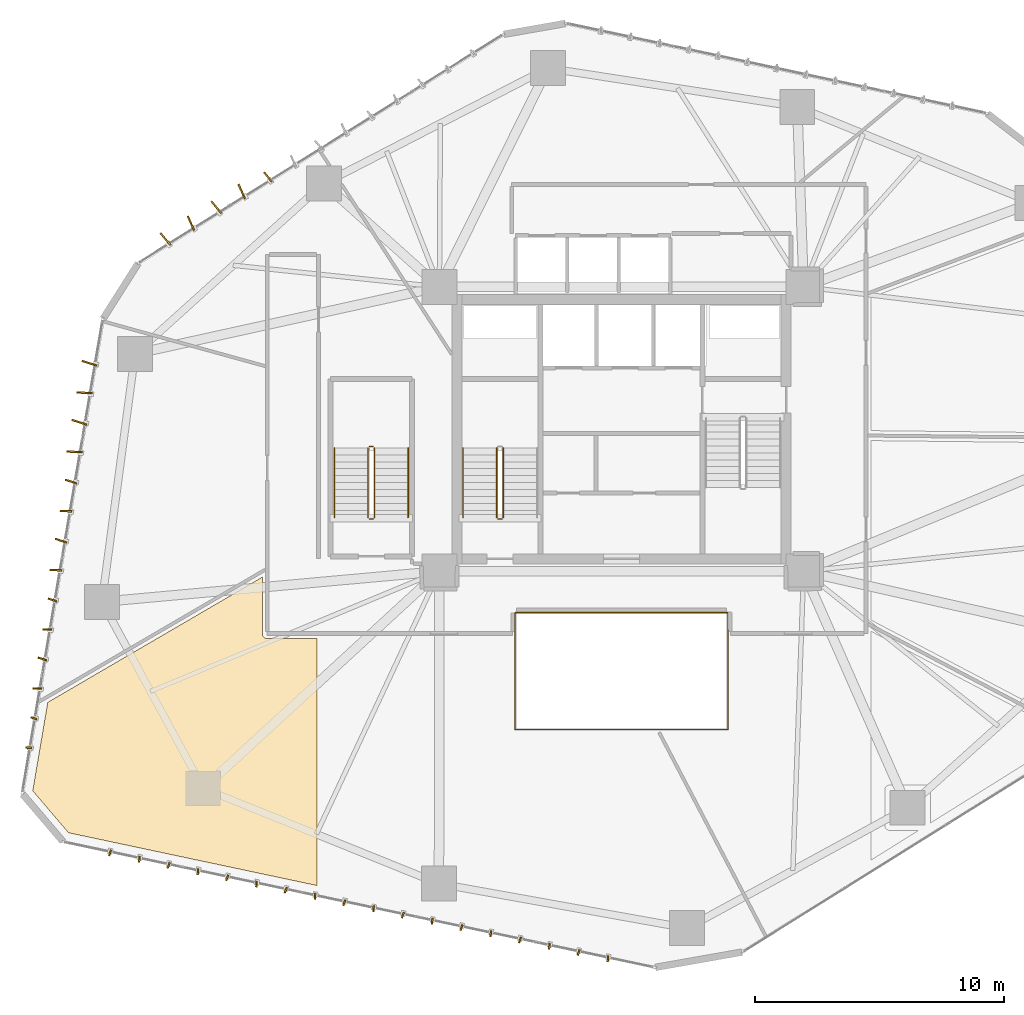
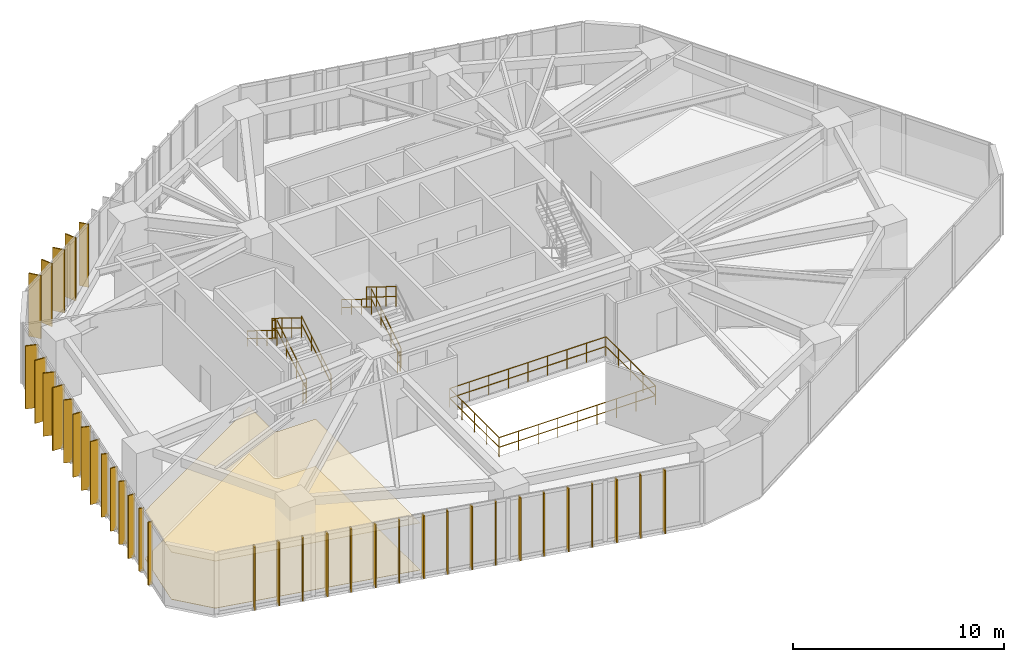
# One storey, part 20 of 22: 37 shading devices, 14 railings, 2 coverings.
"""IFC4 building model written with IfcOpenShell, lengths in metres."""

from ifc_helpers import new_model, si_unit, direction, frame, origin, origin_2d, place, context, subcontext, project, spatial, polyline, rectangle, circle, outline, extrude, source, transform, mapped, material, layer, layer_set, type_object, type_shapes, element, save


model = new_model("IFC4")

# Units and contexts
model_context = context("Model", 3, precision=1e-05, world=origin(), true_north=direction((0.0, 1.0)))
body_context = subcontext(model_context, "Body", "Model", "MODEL_VIEW")
ifc_project = project(units=[si_unit("LENGTHUNIT", "METRE"), si_unit("AREAUNIT", "SQUARE_METRE"), si_unit("VOLUMEUNIT", "CUBIC_METRE"), si_unit("PLANEANGLEUNIT", "RADIAN"), si_unit("MASSUNIT", "GRAM", prefix="KILO")], contexts=[model_context])

# Site, building, storey
site_placement = place(None, origin())
site = spatial("IfcSite", under=ifc_project, at=site_placement, CompositionType="ELEMENT")
building_placement = place(site_placement, origin())
building = spatial("IfcBuilding", under=site, at=building_placement, Name="Talar Marvaseh", CompositionType="ELEMENT")
storey_placement = place(building_placement, frame((0.0, 0.0, 54.39990234375)))
storey = spatial("IfcBuildingStorey", under=building, at=storey_placement, Name="L13", CompositionType="ELEMENT", Elevation=54.39990234375)

# Railings
ifc_material_1 = material(Name="Stainless Steel Grade 316", Category="steel")
railing_type_1 = type_object("IfcRailingType", Name="Brushed Stainless Wall Pitch Handrail 900", PredefinedType="HANDRAIL", material=ifc_material_1)
railing_1_placement = place(storey_placement, frame((19.64990234375, 30.449951171875, 2.07275390625)))
element("IfcRailing", 1, at=railing_1_placement, inside=storey, type_object=railing_type_1, Name="L13 ST-1 stair handrail 2", PredefinedType="HANDRAIL", context=body_context, shape_type="SweptSolid", body=[
    extrude(circle(Radius=0.02392578125, at=origin_2d()), frame((0.0, 0.0, 0.8759765625), z_axis=(0.0, -0.851089632645, 0.525020415988), x_axis=(1.0, 0.0, 0.0)), (0.0, 0.0, 1.0), 3.2900390625),
    extrude(circle(Radius=0.02392578125, at=origin_2d()), frame((0.0, 0.0, 0.42578125), z_axis=(0.0, -0.851089632645, 0.525020415988), x_axis=(1.0, 0.0, 0.0)), (0.0, 0.0, 1.0), 3.2900390625),
    extrude(circle(Radius=0.02099609375, at=origin_2d()), origin(), (0.0, 0.0, 1.0), 0.851806640625),
    extrude(circle(Radius=0.02099609375, at=origin_2d()), frame((0.0, -0.933349609375, 0.57568359375)), (0.0, 0.0, 1.0), 0.851806640625),
    extrude(circle(Radius=0.02099609375, at=origin_2d()), frame((0.0, -1.86669921875, 1.151611328125)), (0.0, 0.0, 1.0), 0.851806640625),
    extrude(circle(Radius=0.02099609375, at=origin_2d()), frame((0.0, -2.800048828125, 1.727294921875)), (0.0, 0.0, 1.0), 0.851806640625),
])
railing_2_placement = place(storey_placement, frame((17.449951171875, 27.64990234375, 0.1728515625)))
element("IfcRailing", 2, at=railing_2_placement, inside=storey, type_object=railing_type_1, Name="L13 ST-3 stair handrail 1", PredefinedType="HANDRAIL", context=body_context, shape_type="SweptSolid", body=[
    extrude(circle(Radius=0.02392578125, at=origin_2d()), frame((0.0, 0.0, 0.8759765625), z_axis=(0.0, 0.851089632645, 0.525020415988), x_axis=(-1.0, 0.0, 0.0)), (0.0, 0.0, 1.0), 3.2900390625),
    extrude(circle(Radius=0.02392578125, at=origin_2d()), frame((0.0, 0.0, 0.42578125), z_axis=(0.0, 0.851089632645, 0.525020415988), x_axis=(-1.0, 0.0, 0.0)), (0.0, 0.0, 1.0), 3.2900390625),
    extrude(circle(Radius=0.02099609375, at=origin_2d()), origin(), (0.0, 0.0, 1.0), 0.851806640625),
    extrude(circle(Radius=0.02099609375, at=origin_2d()), frame((0.0, 0.933349609375, 0.57568359375)), (0.0, 0.0, 1.0), 0.851806640625),
    extrude(circle(Radius=0.02099609375, at=origin_2d()), frame((0.0, 1.86669921875, 1.151611328125)), (0.0, 0.0, 1.0), 0.851806640625),
    extrude(circle(Radius=0.02099609375, at=origin_2d()), frame((0.0, 2.800048828125, 1.727294921875)), (0.0, 0.0, 1.0), 0.851806640625),
])
railing_3_placement = place(storey_placement, frame((14.489990234375, 30.449951171875, 2.07275390625)))
element("IfcRailing", 3, at=railing_3_placement, inside=storey, type_object=railing_type_1, Name="L13 ST-3 stair handrail 2", PredefinedType="HANDRAIL", context=body_context, shape_type="SweptSolid", body=[
    extrude(circle(Radius=0.02392578125, at=origin_2d()), frame((0.0, 0.0, 0.8759765625), z_axis=(0.0, -0.851089632645, 0.525020415988), x_axis=(1.0, 0.0, 0.0)), (0.0, 0.0, 1.0), 3.2900390625),
    extrude(circle(Radius=0.02392578125, at=origin_2d()), frame((0.0, 0.0, 0.42578125), z_axis=(0.0, -0.851089632645, 0.525020415988), x_axis=(1.0, 0.0, 0.0)), (0.0, 0.0, 1.0), 3.2900390625),
    extrude(circle(Radius=0.02099609375, at=origin_2d()), origin(), (0.0, 0.0, 1.0), 0.851806640625),
    extrude(circle(Radius=0.02099609375, at=origin_2d()), frame((0.0, -0.933349609375, 0.57568359375)), (0.0, 0.0, 1.0), 0.851806640625),
    extrude(circle(Radius=0.02099609375, at=origin_2d()), frame((0.0, -1.86669921875, 1.151611328125)), (0.0, 0.0, 1.0), 0.851806640625),
    extrude(circle(Radius=0.02099609375, at=origin_2d()), frame((0.0, -2.800048828125, 1.727294921875)), (0.0, 0.0, 1.0), 0.851806640625),
])
ifc_material_2 = material(Name="Tempered Clear Glass", Category="glass")
railing_type_2 = type_object("IfcRailingType", Name="Interior Atrium Edge Balustrade 1120", PredefinedType="BALUSTRADE", material=ifc_material_2)
railing_4_placement = place(storey_placement, frame((21.729736328125, 19.16162109375, 0.0)))
element("IfcRailing", 4, at=railing_4_placement, inside=storey, type_object=railing_type_2, Name="L13 Internal Daylight Atrium Balustrade 1", PredefinedType="BALUSTRADE", context=body_context, shape_type="SweptSolid", body=[
    extrude(circle(Radius=0.02392578125, at=origin_2d()), frame((0.0, 0.0, 1.09619140625), z_axis=(1.0, 0.0, 0.0), x_axis=(0.0, 1.0, 0.0)), (0.0, 0.0, 1.0), 8.54052734375),
    extrude(circle(Radius=0.02392578125, at=origin_2d()), frame((0.0, 0.0, 0.5361328125), z_axis=(1.0, 0.0, 0.0), x_axis=(0.0, 1.0, 0.0)), (0.0, 0.0, 1.0), 8.54052734375),
    extrude(circle(Radius=0.02099609375, at=origin_2d()), origin(), (0.0, 0.0, 1.0), 1.072021484375),
    extrude(circle(Radius=0.02099609375, at=origin_2d()), frame((1.067626953125, 0.0, 0.0)), (0.0, 0.0, 1.0), 1.072021484375),
    extrude(circle(Radius=0.02099609375, at=origin_2d()), frame((2.13525390625, 0.0, 0.0)), (0.0, 0.0, 1.0), 1.072021484375),
    extrude(circle(Radius=0.02099609375, at=origin_2d()), frame((3.20263671875, 0.0, 0.0)), (0.0, 0.0, 1.0), 1.072021484375),
    extrude(circle(Radius=0.02099609375, at=origin_2d()), frame((4.270263671875, 0.0, 0.0)), (0.0, 0.0, 1.0), 1.072021484375),
    extrude(circle(Radius=0.02099609375, at=origin_2d()), frame((5.337890625, 0.0, 0.0)), (0.0, 0.0, 1.0), 1.072021484375),
    extrude(circle(Radius=0.02099609375, at=origin_2d()), frame((6.4052734375, 0.0, 0.0)), (0.0, 0.0, 1.0), 1.072021484375),
    extrude(circle(Radius=0.02099609375, at=origin_2d()), frame((7.472900390625, 0.0, 0.0)), (0.0, 0.0, 1.0), 1.072021484375),
    extrude(circle(Radius=0.02099609375, at=origin_2d()), frame((8.54052734375, 0.0, 0.0)), (0.0, 0.0, 1.0), 1.072021484375),
])
railing_5_placement = place(storey_placement, frame((30.270263671875, 19.16162109375, 0.0)))
element("IfcRailing", 5, at=railing_5_placement, inside=storey, type_object=railing_type_2, Name="L13 Internal Daylight Atrium Balustrade 2", PredefinedType="BALUSTRADE", context=body_context, shape_type="SweptSolid", body=[
    extrude(circle(Radius=0.02392578125, at=origin_2d()), frame((0.0, 0.0, 1.09619140625), z_axis=(0.0, 1.0, 0.0), x_axis=(-1.0, 0.0, 0.0)), (0.0, 0.0, 1.0), 4.6767578125),
    extrude(circle(Radius=0.02392578125, at=origin_2d()), frame((0.0, 0.0, 0.5361328125), z_axis=(0.0, 1.0, 0.0), x_axis=(-1.0, 0.0, 0.0)), (0.0, 0.0, 1.0), 4.6767578125),
    extrude(circle(Radius=0.02099609375, at=origin_2d()), origin(), (0.0, 0.0, 1.0), 1.072021484375),
    extrude(circle(Radius=0.02099609375, at=origin_2d()), frame((0.0, 1.169189453125, 0.0)), (0.0, 0.0, 1.0), 1.072021484375),
    extrude(circle(Radius=0.02099609375, at=origin_2d()), frame((0.0, 2.33837890625, 0.0)), (0.0, 0.0, 1.0), 1.072021484375),
    extrude(circle(Radius=0.02099609375, at=origin_2d()), frame((0.0, 3.507568359375, 0.0)), (0.0, 0.0, 1.0), 1.072021484375),
    extrude(circle(Radius=0.02099609375, at=origin_2d()), frame((0.0, 4.6767578125, 0.0)), (0.0, 0.0, 1.0), 1.072021484375),
])
railing_6_placement = place(storey_placement, frame((30.270263671875, 23.83837890625, 0.0)))
element("IfcRailing", 6, at=railing_6_placement, inside=storey, type_object=railing_type_2, Name="L13 Internal Daylight Atrium Balustrade 3", PredefinedType="BALUSTRADE", context=body_context, shape_type="SweptSolid", body=[
    extrude(circle(Radius=0.02392578125, at=origin_2d()), frame((0.0, 0.0, 1.09619140625), z_axis=(-1.0, 0.0, 0.0), x_axis=(0.0, -1.0, 0.0)), (0.0, 0.0, 1.0), 8.54052734375),
    extrude(circle(Radius=0.02392578125, at=origin_2d()), frame((0.0, 0.0, 0.5361328125), z_axis=(-1.0, 0.0, 0.0), x_axis=(0.0, -1.0, 0.0)), (0.0, 0.0, 1.0), 8.54052734375),
    extrude(circle(Radius=0.02099609375, at=origin_2d()), origin(), (0.0, 0.0, 1.0), 1.072021484375),
    extrude(circle(Radius=0.02099609375, at=origin_2d()), frame((-1.067626953125, 0.0, 0.0)), (0.0, 0.0, 1.0), 1.072021484375),
    extrude(circle(Radius=0.02099609375, at=origin_2d()), frame((-2.13525390625, 0.0, 0.0)), (0.0, 0.0, 1.0), 1.072021484375),
    extrude(circle(Radius=0.02099609375, at=origin_2d()), frame((-3.20263671875, 0.0, 0.0)), (0.0, 0.0, 1.0), 1.072021484375),
    extrude(circle(Radius=0.02099609375, at=origin_2d()), frame((-4.270263671875, 0.0, 0.0)), (0.0, 0.0, 1.0), 1.072021484375),
    extrude(circle(Radius=0.02099609375, at=origin_2d()), frame((-5.337890625, 0.0, 0.0)), (0.0, 0.0, 1.0), 1.072021484375),
    extrude(circle(Radius=0.02099609375, at=origin_2d()), frame((-6.4052734375, 0.0, 0.0)), (0.0, 0.0, 1.0), 1.072021484375),
    extrude(circle(Radius=0.02099609375, at=origin_2d()), frame((-7.472900390625, 0.0, 0.0)), (0.0, 0.0, 1.0), 1.072021484375),
    extrude(circle(Radius=0.02099609375, at=origin_2d()), frame((-8.54052734375, 0.0, 0.0)), (0.0, 0.0, 1.0), 1.072021484375),
])
railing_7_placement = place(storey_placement, frame((21.729736328125, 23.83837890625, 0.0)))
element("IfcRailing", 7, at=railing_7_placement, inside=storey, type_object=railing_type_2, Name="L13 Internal Daylight Atrium Balustrade 4", PredefinedType="BALUSTRADE", context=body_context, shape_type="SweptSolid", body=[
    extrude(circle(Radius=0.02392578125, at=origin_2d()), frame((0.0, 0.0, 1.09619140625), z_axis=(0.0, -1.0, 0.0), x_axis=(1.0, 0.0, 0.0)), (0.0, 0.0, 1.0), 4.6767578125),
    extrude(circle(Radius=0.02392578125, at=origin_2d()), frame((0.0, 0.0, 0.5361328125), z_axis=(0.0, -1.0, 0.0), x_axis=(1.0, 0.0, 0.0)), (0.0, 0.0, 1.0), 4.6767578125),
    extrude(circle(Radius=0.02099609375, at=origin_2d()), origin(), (0.0, 0.0, 1.0), 1.072021484375),
    extrude(circle(Radius=0.02099609375, at=origin_2d()), frame((0.0, -1.169189453125, 0.0)), (0.0, 0.0, 1.0), 1.072021484375),
    extrude(circle(Radius=0.02099609375, at=origin_2d()), frame((0.0, -2.33837890625, 0.0)), (0.0, 0.0, 1.0), 1.072021484375),
    extrude(circle(Radius=0.02099609375, at=origin_2d()), frame((0.0, -3.507568359375, 0.0)), (0.0, 0.0, 1.0), 1.072021484375),
    extrude(circle(Radius=0.02099609375, at=origin_2d()), frame((0.0, -4.6767578125, 0.0)), (0.0, 0.0, 1.0), 1.072021484375),
])
railing_type_3 = type_object("IfcRailingType", Name="Painted Steel Core Stair Well Guardrail 1150", PredefinedType="GUARDRAIL", material=ifc_material_1)
railing_8_placement = place(storey_placement, frame((21.260009765625, 27.64990234375, 0.1728515625)))
element("IfcRailing", 8, at=railing_8_placement, inside=storey, type_object=railing_type_3, Name="L13 ST-1 stair guard 1", PredefinedType="GUARDRAIL", context=body_context, shape_type="SweptSolid", body=[
    extrude(circle(Radius=0.02392578125, at=origin_2d()), frame((0.0, 0.0, 1.1259765625), z_axis=(0.0, 0.851089632645, 0.525020415988), x_axis=(-1.0, 0.0, 0.0)), (0.0, 0.0, 1.0), 3.2900390625),
    extrude(circle(Radius=0.02392578125, at=origin_2d()), frame((0.0, 0.0, 0.55078125), z_axis=(0.0, 0.851089632645, 0.525020415988), x_axis=(-1.0, 0.0, 0.0)), (0.0, 0.0, 1.0), 3.2900390625),
    extrude(circle(Radius=0.02099609375, at=origin_2d()), origin(), (0.0, 0.0, 1.0), 1.101806640625),
    extrude(circle(Radius=0.02099609375, at=origin_2d()), frame((0.0, 0.933349609375, 0.57568359375)), (0.0, 0.0, 1.0), 1.101806640625),
    extrude(circle(Radius=0.02099609375, at=origin_2d()), frame((0.0, 1.86669921875, 1.151611328125)), (0.0, 0.0, 1.0), 1.101806640625),
    extrude(circle(Radius=0.02099609375, at=origin_2d()), frame((0.0, 2.800048828125, 1.727294921875)), (0.0, 0.0, 1.0), 1.101806640625),
])
railing_9_placement = place(storey_placement, frame((21.0, 30.449951171875, 2.07275390625)))
element("IfcRailing", 9, at=railing_9_placement, inside=storey, type_object=railing_type_3, Name="L13 ST-1 stair guard 3", PredefinedType="GUARDRAIL", context=body_context, shape_type="SweptSolid", body=[
    extrude(circle(Radius=0.02392578125, at=origin_2d()), frame((0.0, 0.0, 1.1259765625), z_axis=(0.0, -0.851089632645, 0.525020415988), x_axis=(1.0, 0.0, 0.0)), (0.0, 0.0, 1.0), 3.2900390625),
    extrude(circle(Radius=0.02392578125, at=origin_2d()), frame((0.0, 0.0, 0.55078125), z_axis=(0.0, -0.851089632645, 0.525020415988), x_axis=(1.0, 0.0, 0.0)), (0.0, 0.0, 1.0), 3.2900390625),
    extrude(circle(Radius=0.02099609375, at=origin_2d()), origin(), (0.0, 0.0, 1.0), 1.101806640625),
    extrude(circle(Radius=0.02099609375, at=origin_2d()), frame((0.0, -0.933349609375, 0.57568359375)), (0.0, 0.0, 1.0), 1.101806640625),
    extrude(circle(Radius=0.02099609375, at=origin_2d()), frame((0.0, -1.86669921875, 1.151611328125)), (0.0, 0.0, 1.0), 1.101806640625),
    extrude(circle(Radius=0.02099609375, at=origin_2d()), frame((0.0, -2.800048828125, 1.727294921875)), (0.0, 0.0, 1.0), 1.101806640625),
])
railing_10_placement = place(storey_placement, frame((21.2099609375, 27.60009765625, 0.0)))
element("IfcRailing", 10, at=railing_10_placement, inside=storey, type_object=railing_type_3, Name="L13 ST-1 stair guard 4", PredefinedType="GUARDRAIL", context=body_context, shape_type="SweptSolid", body=[
    extrude(circle(Radius=0.02392578125, at=origin_2d()), frame((0.0, 0.0, 1.1259765625), z_axis=(-1.0, 0.0, 0.0), x_axis=(0.0, -1.0, 0.0)), (0.0, 0.0, 1.0), 0.159912109375),
    extrude(circle(Radius=0.02392578125, at=origin_2d()), frame((0.0, 0.0, 0.55078125), z_axis=(-1.0, 0.0, 0.0), x_axis=(0.0, -1.0, 0.0)), (0.0, 0.0, 1.0), 0.159912109375),
    extrude(circle(Radius=0.02099609375, at=origin_2d()), origin(), (0.0, 0.0, 1.0), 1.101806640625),
    extrude(circle(Radius=0.02099609375, at=origin_2d()), frame((-0.159912109375, 0.0, 0.0)), (0.0, 0.0, 1.0), 1.101806640625),
])
railing_11_placement = place(storey_placement, frame((16.10009765625, 27.64990234375, 0.1728515625)))
element("IfcRailing", 11, at=railing_11_placement, inside=storey, type_object=railing_type_3, Name="L13 ST-3 stair guard 1", PredefinedType="GUARDRAIL", context=body_context, shape_type="SweptSolid", body=[
    extrude(circle(Radius=0.02392578125, at=origin_2d()), frame((0.0, 0.0, 1.1259765625), z_axis=(0.0, 0.851089632645, 0.525020415988), x_axis=(-1.0, 0.0, 0.0)), (0.0, 0.0, 1.0), 3.2900390625),
    extrude(circle(Radius=0.02392578125, at=origin_2d()), frame((0.0, 0.0, 0.55078125), z_axis=(0.0, 0.851089632645, 0.525020415988), x_axis=(-1.0, 0.0, 0.0)), (0.0, 0.0, 1.0), 3.2900390625),
    extrude(circle(Radius=0.02099609375, at=origin_2d()), origin(), (0.0, 0.0, 1.0), 1.101806640625),
    extrude(circle(Radius=0.02099609375, at=origin_2d()), frame((0.0, 0.933349609375, 0.57568359375)), (0.0, 0.0, 1.0), 1.101806640625),
    extrude(circle(Radius=0.02099609375, at=origin_2d()), frame((0.0, 1.86669921875, 1.151611328125)), (0.0, 0.0, 1.0), 1.101806640625),
    extrude(circle(Radius=0.02099609375, at=origin_2d()), frame((0.0, 2.800048828125, 1.727294921875)), (0.0, 0.0, 1.0), 1.101806640625),
])
railing_12_placement = place(storey_placement, frame((16.050048828125, 30.5, 1.900146484375)))
element("IfcRailing", 12, at=railing_12_placement, inside=storey, type_object=railing_type_3, Name="L13 ST-3 stair guard 2", PredefinedType="GUARDRAIL", context=body_context, shape_type="SweptSolid", body=[
    extrude(circle(Radius=0.02392578125, at=origin_2d()), frame((0.0, 0.0, 1.1259765625), z_axis=(-1.0, 0.0, 0.0), x_axis=(0.0, -1.0, 0.0)), (0.0, 0.0, 1.0), 0.16015625),
    extrude(circle(Radius=0.02392578125, at=origin_2d()), frame((0.0, 0.0, 0.55078125), z_axis=(-1.0, 0.0, 0.0), x_axis=(0.0, -1.0, 0.0)), (0.0, 0.0, 1.0), 0.16015625),
    extrude(circle(Radius=0.02099609375, at=origin_2d()), origin(), (0.0, 0.0, 1.0), 1.101806640625),
    extrude(circle(Radius=0.02099609375, at=origin_2d()), frame((-0.16015625, 0.0, 0.0)), (0.0, 0.0, 1.0), 1.101806640625),
])
railing_13_placement = place(storey_placement, frame((15.840087890625, 30.449951171875, 2.07275390625)))
element("IfcRailing", 13, at=railing_13_placement, inside=storey, type_object=railing_type_3, Name="L13 ST-3 stair guard 3", PredefinedType="GUARDRAIL", context=body_context, shape_type="SweptSolid", body=[
    extrude(circle(Radius=0.02392578125, at=origin_2d()), frame((0.0, 0.0, 1.1259765625), z_axis=(0.0, -0.851089632645, 0.525020415988), x_axis=(1.0, 0.0, 0.0)), (0.0, 0.0, 1.0), 3.2900390625),
    extrude(circle(Radius=0.02392578125, at=origin_2d()), frame((0.0, 0.0, 0.55078125), z_axis=(0.0, -0.851089632645, 0.525020415988), x_axis=(1.0, 0.0, 0.0)), (0.0, 0.0, 1.0), 3.2900390625),
    extrude(circle(Radius=0.02099609375, at=origin_2d()), origin(), (0.0, 0.0, 1.0), 1.101806640625),
    extrude(circle(Radius=0.02099609375, at=origin_2d()), frame((0.0, -0.933349609375, 0.57568359375)), (0.0, 0.0, 1.0), 1.101806640625),
    extrude(circle(Radius=0.02099609375, at=origin_2d()), frame((0.0, -1.86669921875, 1.151611328125)), (0.0, 0.0, 1.0), 1.101806640625),
    extrude(circle(Radius=0.02099609375, at=origin_2d()), frame((0.0, -2.800048828125, 1.727294921875)), (0.0, 0.0, 1.0), 1.101806640625),
])
railing_14_placement = place(storey_placement, frame((16.050048828125, 27.60009765625, 0.0)))
element("IfcRailing", 14, at=railing_14_placement, inside=storey, type_object=railing_type_3, Name="L13 ST-3 stair guard 4", PredefinedType="GUARDRAIL", context=body_context, shape_type="SweptSolid", body=[
    extrude(circle(Radius=0.02392578125, at=origin_2d()), frame((0.0, 0.0, 1.1259765625), z_axis=(-1.0, 0.0, 0.0), x_axis=(0.0, -1.0, 0.0)), (0.0, 0.0, 1.0), 0.16015625),
    extrude(circle(Radius=0.02392578125, at=origin_2d()), frame((0.0, 0.0, 0.55078125), z_axis=(-1.0, 0.0, 0.0), x_axis=(0.0, -1.0, 0.0)), (0.0, 0.0, 1.0), 0.16015625),
    extrude(circle(Radius=0.02099609375, at=origin_2d()), origin(), (0.0, 0.0, 1.0), 1.101806640625),
    extrude(circle(Radius=0.02099609375, at=origin_2d()), frame((-0.16015625, 0.0, 0.0)), (0.0, 0.0, 1.0), 1.101806640625),
])

# Coverings
ifc_material_3 = material(Name="Mineral Fibre Acoustic Ceiling")
ifc_layer_1 = layer(ifc_material_3, 0.02490234375)
ifc_layer_set_1 = layer_set([ifc_layer_1], Name="Mineral Fibre Acoustic Ceiling")
covering_type_1 = type_object("IfcCoveringType", Name="Perforated Mineral Fibre Acoustic Suspended Ceiling", PredefinedType="CEILING", material=ifc_layer_set_1)
covering_1_placement = place(storey_placement, frame((0.0, 0.0, 2.72021484375)))
element("IfcCovering", 15, at=covering_1_placement, inside=storey, type_object=covering_type_1, Name="L13 Exhibition Gallery Acoustic Ceiling", PredefinedType="CEILING", context=body_context, shape_type="SweptSolid", body=[
    extrude(outline(polyline([(3.00341796875, 20.246826171875), (11.60009765625, 25.264892578125), (11.60009765625, 23.0), (11.60107421875, 22.98046875), (11.603759765625, 22.9609375), (11.608642578125, 22.94189453125), (11.615234375, 22.923583984375), (11.62353515625, 22.90576171875), (11.6337890625, 22.888916015625), (11.6455078125, 22.873046875), (11.65869140625, 22.858642578125), (11.673095703125, 22.845458984375), (11.68896484375, 22.833740234375), (11.705810546875, 22.823486328125), (11.723388671875, 22.815185546875), (11.741943359375, 22.80859375), (11.760986328125, 22.8037109375), (11.780517578125, 22.801025390625), (11.800048828125, 22.800048828125), (13.800048828125, 22.800048828125), (13.800048828125, 12.902099609375), (3.8330078125, 15.01904296875), (2.400390625, 16.701171875), (3.00341796875, 20.246826171875)])), origin(), (0.0, 0.0, 1.0), 0.02490234375),
])
ifc_material_4 = material(Name="Porcelain Stoneware Tile", Category="masonry")
ifc_layer_2 = layer(ifc_material_4, 0.02001953125)
ifc_layer_set_2 = layer_set([ifc_layer_2], Name="Porcelain Stoneware Tile")
covering_type_2 = type_object("IfcCoveringType", Name="Polished Porcelain Stoneware Gallery Flooring", PredefinedType="FLOORING", material=ifc_layer_set_2)
covering_2_placement = place(storey_placement, origin())
element("IfcCovering", 16, at=covering_2_placement, inside=storey, type_object=covering_type_2, Name="L13 Exhibition Gallery Flooring", PredefinedType="FLOORING", context=body_context, shape_type="SweptSolid", body=[
    extrude(outline(polyline([(3.00341796875, 20.246826171875), (11.60009765625, 25.264892578125), (11.60009765625, 23.0), (11.60107421875, 22.98046875), (11.603759765625, 22.9609375), (11.608642578125, 22.94189453125), (11.615234375, 22.923583984375), (11.62353515625, 22.90576171875), (11.6337890625, 22.888916015625), (11.6455078125, 22.873046875), (11.65869140625, 22.858642578125), (11.673095703125, 22.845458984375), (11.68896484375, 22.833740234375), (11.705810546875, 22.823486328125), (11.723388671875, 22.815185546875), (11.741943359375, 22.80859375), (11.760986328125, 22.8037109375), (11.780517578125, 22.801025390625), (11.800048828125, 22.800048828125), (13.800048828125, 22.800048828125), (13.800048828125, 12.902099609375), (3.8330078125, 15.01904296875), (2.400390625, 16.701171875), (3.00341796875, 20.246826171875)])), origin(), (0.0, 0.0, 1.0), 0.02001953125),
])

# Shading devices
ifc_material_5 = material(Name="Anodised Champagne Bronze Aluminium", Category="aluminium")
ifc_layer_3 = layer(ifc_material_5, 0.06494140625)
ifc_layer_set_3 = layer_set([ifc_layer_3], Name="Anodised Champagne Bronze Aluminium")
shading_device_type_1 = type_object("IfcShadingDeviceType", Name="Sawtooth Champagne Bronze Vertical Fin 240", PredefinedType="USERDEFINED", material=ifc_layer_set_3)
shared_shape_1 = source(origin(), body_context, "Body", "SweptSolid", [
    extrude(rectangle(XDim=0.239990234375, YDim=0.06494140625, at=origin_2d()), origin(), (0.0, 0.0, 1.0), 3.639892578125),
])
type_shapes(shading_device_type_1, [shared_shape_1])
for number, where, z_axis, x_axis, name in (
    (17, (2.242431640625, 18.426513671875, -0.11962890625), (0.0, 0.0, 1.0), (-0.999585368194, 0.028793952368, 0.0), "L13 Sawtooth Vertical Solar Fin"),
    (18, (2.443603515625, 19.609375, -0.11962890625), (0.0, 0.0, 1.0), (-0.952926437371, 0.303201591289, 0.0), "L13 Sawtooth Vertical Solar Fin"),
    (19, (25.4541015625, 9.971923828125, -0.11962890625), (0.0, 0.0, 1.0), (-0.069582364911, -0.997576209867, 0.0), "L13 Sawtooth Vertical Solar Fin"),
    (20, (24.2802734375, 10.22119140625, -0.11962890625), (0.0, 0.0, 1.0), (-0.341856130815, -0.939752300249, 0.0), "L13 Sawtooth Vertical Solar Fin"),
    (21, (23.106201171875, 10.470703125, -0.11962890625), (0.0, 0.0, 1.0), (-0.069582364911, -0.997576209867, 0.0), "L13 Sawtooth Vertical Solar Fin"),
    (22, (21.9326171875, 10.719970703125, -0.11962890625), (0.0, 0.0, 1.0), (-0.341856130815, -0.939752300249, 0.0), "L13 Sawtooth Vertical Solar Fin"),
    (23, (20.7587890625, 10.96923828125, -0.11962890625), (0.0, 0.0, 1.0), (-0.069582364911, -0.997576209867, 0.0), "L13 Sawtooth Vertical Solar Fin"),
    (24, (19.5849609375, 11.218505859375, -0.11962890625), (0.0, 0.0, 1.0), (-0.341856130815, -0.939752300249, 0.0), "L13 Sawtooth Vertical Solar Fin"),
    (25, (18.4111328125, 11.468017578125, -0.11962890625), (0.0, 0.0, 1.0), (-0.069582364911, -0.997576209867, 0.0), "L13 Sawtooth Vertical Solar Fin"),
    (26, (17.2373046875, 11.71728515625, -0.11962890625), (0.0, 0.0, 1.0), (-0.341856130815, -0.939752300249, 0.0), "L13 Sawtooth Vertical Solar Fin"),
    (27, (16.0634765625, 11.966552734375, -0.11962890625), (0.0, 0.0, 1.0), (-0.069582364911, -0.997576209867, 0.0), "L13 Sawtooth Vertical Solar Fin"),
    (28, (14.8896484375, 12.2158203125, -0.11962890625), (0.0, 0.0, 1.0), (-0.341856130815, -0.939752300249, 0.0), "L13 Sawtooth Vertical Solar Fin"),
    (29, (13.7158203125, 12.465087890625, -0.11962890625), (0.0, 0.0, 1.0), (-0.069582364911, -0.997576209867, 0.0), "L13 Sawtooth Vertical Solar Fin"),
    (30, (12.5419921875, 12.71435546875, -0.11962890625), (0.0, 0.0, 1.0), (-0.341856130815, -0.939752300249, 0.0), "L13 Sawtooth Vertical Solar Fin"),
    (31, (11.3681640625, 12.963623046875, -0.11962890625), (0.0, 0.0, 1.0), (-0.069582364911, -0.997576209867, 0.0), "L13 Sawtooth Vertical Solar Fin"),
    (32, (10.1943359375, 13.212890625, -0.11962890625), (0.0, 0.0, 1.0), (-0.341856130815, -0.939752300249, 0.0), "L13 Sawtooth Vertical Solar Fin"),
    (33, (9.0205078125, 13.46240234375, -0.11962890625), (0.0, 0.0, 1.0), (-0.069582364911, -0.997576209867, 0.0), "L13 Sawtooth Vertical Solar Fin"),
    (34, (7.8466796875, 13.711669921875, -0.11962890625), (0.0, 0.0, 1.0), (-0.341856130815, -0.939752300249, 0.0), "L13 Sawtooth Vertical Solar Fin"),
    (35, (6.6728515625, 13.9609375, -0.11962890625), (0.0, 0.0, 1.0), (-0.069582364911, -0.997576209867, 0.0), "L13 Sawtooth Vertical Solar Fin"),
    (36, (5.4990234375, 14.210205078125, -0.11962890625), (0.0, 0.0, 1.0), (-0.341856130815, -0.939752300249, 0.0), "L13 Sawtooth Vertical Solar Fin"),
):
    element("IfcShadingDevice", number, at=place(storey_placement, frame(where, z_axis=z_axis, x_axis=x_axis)), inside=storey, type_object=shading_device_type_1, Name=name, ObjectType="FIN", PredefinedType="USERDEFINED", context=body_context, shape_type="MappedRepresentation", body=[
        mapped(shared_shape_1, transform((0.0, 0.0, 0.0), x_axis=(1.0, 0.0, 0.0), y_axis=(0.0, 1.0, 0.0), z_axis=(0.0, 0.0, 1.0), scale=1.0)),
    ])
ifc_layer_4 = layer(ifc_material_5, 0.06494140625)
ifc_layer_set_4 = layer_set([ifc_layer_4], Name="Anodised Champagne Bronze Aluminium")
shading_device_type_2 = type_object("IfcShadingDeviceType", Name="Sawtooth Champagne Bronze Vertical Fin 360", PredefinedType="USERDEFINED", material=ifc_layer_set_4)
shared_shape_2 = source(origin(), body_context, "Body", "SweptSolid", [
    extrude(rectangle(XDim=0.360107421875, YDim=0.06494140625, at=origin_2d()), origin(), (0.0, 0.0, 1.0), 3.639892578125),
])
type_shapes(shading_device_type_2, [shared_shape_2])
for number, where, z_axis, x_axis, name in (
    (37, (2.585693359375, 20.802490234375, -0.11962890625), (0.0, 0.0, 1.0), (-0.999585368194, 0.028793952368, 0.0), "L13 Sawtooth Vertical Solar Fin"),
    (38, (2.786865234375, 21.985595703125, -0.11962890625), (0.0, 0.0, 1.0), (-0.952926437371, 0.303201591289, 0.0), "L13 Sawtooth Vertical Solar Fin"),
    (39, (2.98828125, 23.16845703125, -0.11962890625), (0.0, 0.0, 1.0), (-0.999585368194, 0.028793952368, 0.0), "L13 Sawtooth Vertical Solar Fin"),
    (40, (3.189453125, 24.3515625, -0.11962890625), (0.0, 0.0, 1.0), (-0.952926437371, 0.303201591289, 0.0), "L13 Sawtooth Vertical Solar Fin"),
):
    element("IfcShadingDevice", number, at=place(storey_placement, frame(where, z_axis=z_axis, x_axis=x_axis)), inside=storey, type_object=shading_device_type_2, Name=name, ObjectType="FIN", PredefinedType="USERDEFINED", context=body_context, shape_type="MappedRepresentation", body=[
        mapped(shared_shape_2, transform((0.0, 0.0, 0.0), x_axis=(1.0, 0.0, 0.0), y_axis=(0.0, 1.0, 0.0), z_axis=(0.0, 0.0, 1.0), scale=1.0)),
    ])
ifc_layer_5 = layer(ifc_material_5, 0.06494140625)
ifc_layer_set_5 = layer_set([ifc_layer_5], Name="Anodised Champagne Bronze Aluminium")
shading_device_type_3 = type_object("IfcShadingDeviceType", Name="Sawtooth Champagne Bronze Vertical Fin 480", PredefinedType="USERDEFINED", material=ifc_layer_set_5)
shared_shape_3 = source(origin(), body_context, "Body", "SweptSolid", [
    extrude(rectangle(XDim=0.47998046875, YDim=0.06494140625, at=origin_2d()), origin(), (0.0, 0.0, 1.0), 3.639892578125),
])
type_shapes(shading_device_type_3, [shared_shape_3])
for number, where, z_axis, x_axis, name in (
    (41, (3.33154296875, 25.544677734375, -0.11962890625), (0.0, 0.0, 1.0), (-0.999585368194, 0.028793952368, 0.0), "L13 Sawtooth Vertical Solar Fin"),
    (42, (3.53271484375, 26.7275390625, -0.11962890625), (0.0, 0.0, 1.0), (-0.952926437371, 0.303201591289, 0.0), "L13 Sawtooth Vertical Solar Fin"),
    (43, (3.73388671875, 27.91064453125, -0.11962890625), (0.0, 0.0, 1.0), (-0.999585368194, 0.028793952368, 0.0), "L13 Sawtooth Vertical Solar Fin"),
    (44, (3.935302734375, 29.093505859375, -0.11962890625), (0.0, 0.0, 1.0), (-0.952926437371, 0.303201591289, 0.0), "L13 Sawtooth Vertical Solar Fin"),
    (45, (11.82861328125, 41.3056640625, -0.11962890625), (0.0, 0.0, 1.0), (-0.643723029576, 0.765258558393, 0.0), "L13 Sawtooth Vertical Solar Fin"),
):
    element("IfcShadingDevice", number, at=place(storey_placement, frame(where, z_axis=z_axis, x_axis=x_axis)), inside=storey, type_object=shading_device_type_3, Name=name, ObjectType="FIN", PredefinedType="USERDEFINED", context=body_context, shape_type="MappedRepresentation", body=[
        mapped(shared_shape_3, transform((0.0, 0.0, 0.0), x_axis=(1.0, 0.0, 0.0), y_axis=(0.0, 1.0, 0.0), z_axis=(0.0, 0.0, 1.0), scale=1.0)),
    ])
ifc_layer_6 = layer(ifc_material_5, 0.06494140625)
ifc_layer_set_6 = layer_set([ifc_layer_6], Name="Anodised Champagne Bronze Aluminium")
shading_device_type_4 = type_object("IfcShadingDeviceType", Name="Sawtooth Champagne Bronze Vertical Fin 620", PredefinedType="USERDEFINED", material=ifc_layer_set_6)
shared_shape_4 = source(origin(), body_context, "Body", "SweptSolid", [
    extrude(rectangle(XDim=0.6201171875, YDim=0.06494140625, at=origin_2d()), origin(), (0.0, 0.0, 1.0), 3.639892578125),
])
type_shapes(shading_device_type_4, [shared_shape_4])
for number, where, z_axis, x_axis, name in (
    (46, (4.0673828125, 30.288330078125, -0.11962890625), (0.0, 0.0, 1.0), (-0.999585368194, 0.028793952368, 0.0), "L13 Sawtooth Vertical Solar Fin"),
    (47, (4.2685546875, 31.471435546875, -0.11962890625), (0.0, 0.0, 1.0), (-0.952926437371, 0.303201591289, 0.0), "L13 Sawtooth Vertical Solar Fin"),
    (48, (4.4697265625, 32.654296875, -0.11962890625), (0.0, 0.0, 1.0), (-0.999585368194, 0.028793952368, 0.0), "L13 Sawtooth Vertical Solar Fin"),
    (49, (4.671142578125, 33.83740234375, -0.11962890625), (0.0, 0.0, 1.0), (-0.952926437371, 0.303201591289, 0.0), "L13 Sawtooth Vertical Solar Fin"),
    (50, (7.723876953125, 38.816650390625, -0.11962890625), (0.0, 0.0, 1.0), (-0.643723029576, 0.765258558393, 0.0), "L13 Sawtooth Vertical Solar Fin"),
    (51, (8.74072265625, 39.45361328125, -0.11962890625), (0.0, 0.0, 1.0), (-0.407852445573, 0.913047853423, 0.0), "L13 Sawtooth Vertical Solar Fin"),
    (52, (9.7578125, 40.0908203125, -0.11962890625), (0.0, 0.0, 1.0), (-0.643723029576, 0.765258558393, 0.0), "L13 Sawtooth Vertical Solar Fin"),
    (53, (10.774658203125, 40.72802734375, -0.11962890625), (0.0, 0.0, 1.0), (-0.407852445573, 0.913047853423, 0.0), "L13 Sawtooth Vertical Solar Fin"),
):
    element("IfcShadingDevice", number, at=place(storey_placement, frame(where, z_axis=z_axis, x_axis=x_axis)), inside=storey, type_object=shading_device_type_4, Name=name, ObjectType="FIN", PredefinedType="USERDEFINED", context=body_context, shape_type="MappedRepresentation", body=[
        mapped(shared_shape_4, transform((0.0, 0.0, 0.0), x_axis=(1.0, 0.0, 0.0), y_axis=(0.0, 1.0, 0.0), z_axis=(0.0, 0.0, 1.0), scale=1.0)),
    ])

save(model, "model.ifc")
